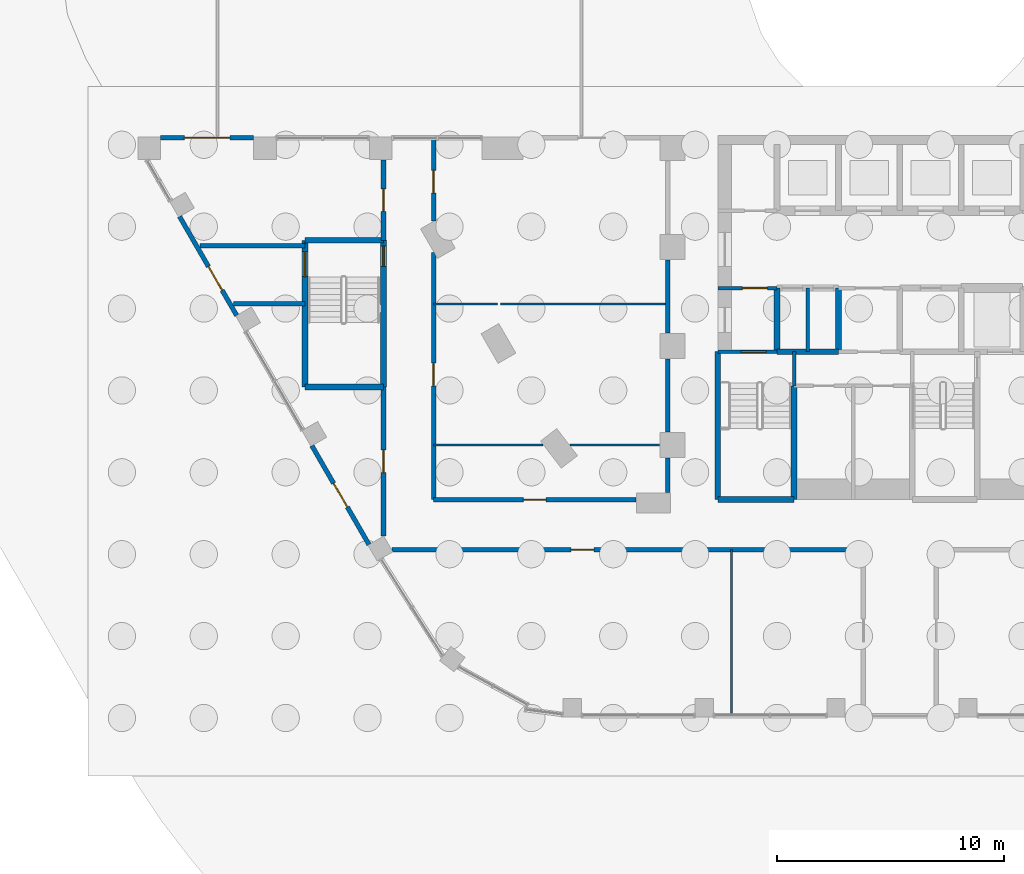
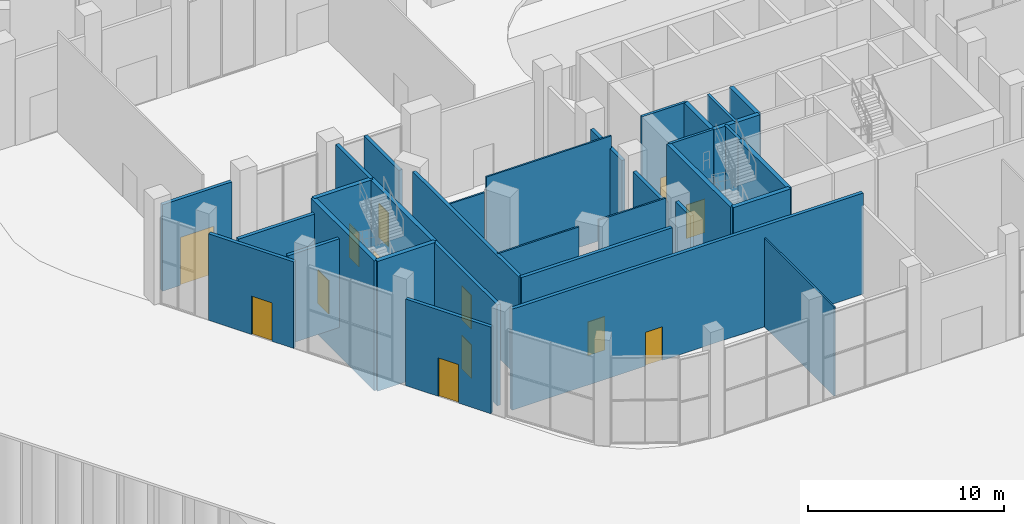
# One storey, part 24 of 44: 33 walls, 13 doors, 13 openings.
"""IFC4 building model written with IfcOpenShell, lengths in metres."""

import ifcopenshell
import ifcopenshell.guid

model = None  # the IFC model being written
_history = None  # IfcOwnerHistory: only IFC2X3 demands one
_inside = {}  # id of a spatial element -> (the spatial element, [elements in it])
_under = {}  # id of a project, library or spatial element -> (it, [spatial elements below it])
_declared = {}  # id of a project -> (the project, [libraries it declares])
_typed = {}  # id of a type object -> (the type object, [elements of that type])
_made_of = {}  # id of a material, layer set ... -> (it, [elements and type objects made of it])


def new_model(schema):
    """Start an empty IFC model of exactly this schema.

    Asked for "IFC4X3", IfcOpenShell would pick the latest addendum, in which some entities
    have other attributes; the version numbers below select the first issue.
    IFC2X3 requires an IfcOwnerHistory on every rooted entity: one is made here for all.
    """
    global model, _history
    if schema == "IFC4X3":
        model = ifcopenshell.file(schema_version=(4, 3, 0, 0))
    else:
        model = ifcopenshell.file(schema=schema)
    _inside.clear()
    _under.clear()
    _declared.clear()
    _typed.clear()
    _made_of.clear()
    _history = None
    if model.schema == "IFC2X3":
        org = make("IfcOrganization", Name="unknown")
        user = make(
            "IfcPersonAndOrganization",
            ThePerson=make("IfcPerson", FamilyName="unknown"),
            TheOrganization=org,
        )
        app = make(
            "IfcApplication",
            ApplicationDeveloper=org,
            Version="unknown",
            ApplicationFullName="unknown",
            ApplicationIdentifier="unknown",
        )
        _history = make(
            "IfcOwnerHistory",
            OwningUser=user,
            OwningApplication=app,
            ChangeAction="ADDED",
            CreationDate=0,
        )
    return model


def make(cls, **values):
    """One entity of the class cls with the attributes given. An attribute that is None is left unset."""
    return model.create_entity(
        cls, **{name: value for name, value in values.items() if value is not None}
    )


def rooted(cls, **values):
    """An entity with a GlobalId (a new one), such as an element, a storey or a relation."""
    return make(cls, GlobalId=ifcopenshell.guid.new(), OwnerHistory=_history, **values)


def si_unit(unit_type, name, prefix=None):
    """IfcSIUnit, for example si_unit("LENGTHUNIT", "METRE", prefix="MILLI")."""
    return make("IfcSIUnit", UnitType=unit_type, Prefix=prefix, Name=name)


def assignment(units):
    """IfcUnitAssignment: the units of a project."""
    return None if units is None else make("IfcUnitAssignment", Units=units)


def point(xyz):
    """IfcCartesianPoint."""
    return None if xyz is None else make("IfcCartesianPoint", Coordinates=xyz)


def direction(xyz):
    """IfcDirection."""
    return None if xyz is None else make("IfcDirection", DirectionRatios=xyz)


def frame(location, z_axis=None, x_axis=None):
    """IfcAxis2Placement3D, a coordinate frame: its origin and axes. An axis left out is left unset."""
    return make(
        "IfcAxis2Placement3D",
        Location=point(location),
        Axis=direction(z_axis),
        RefDirection=direction(x_axis),
    )


def frame_2d(location, x_axis=None):
    """IfcAxis2Placement2D, a coordinate frame in the plane: its origin and x axis."""
    return make(
        "IfcAxis2Placement2D", Location=point(location), RefDirection=direction(x_axis)
    )


def origin():
    """The frame at (0, 0, 0) with its axes left unset."""
    return frame((0.0, 0.0, 0.0))


def place(relative_to, where):
    """IfcLocalPlacement: puts the frame where relative to a parent placement (None: the world)."""
    return make(
        "IfcLocalPlacement", PlacementRelTo=relative_to, RelativePlacement=where
    )


def context(
    kind, dimensions, precision=None, world=None, true_north=None, identifier=None
):
    """IfcGeometricRepresentationContext, for example the 3D "Model" context."""
    return make(
        "IfcGeometricRepresentationContext",
        ContextIdentifier=identifier,
        ContextType=kind,
        CoordinateSpaceDimension=dimensions,
        Precision=precision,
        WorldCoordinateSystem=world,
        TrueNorth=true_north,
    )


def subcontext(parent, identifier, kind, view, scale=None):
    """IfcGeometricRepresentationSubContext, for example "Body" below "Model"."""
    return make(
        "IfcGeometricRepresentationSubContext",
        ContextIdentifier=identifier,
        ContextType=kind,
        ParentContext=parent,
        TargetScale=scale,
        TargetView=view,
    )


def project(units=None, contexts=None):
    """IfcProject with its units and contexts."""
    return rooted(
        "IfcProject",
        Name="project",
        RepresentationContexts=contexts,
        UnitsInContext=assignment(units),
    )


def spatial(cls, under=None, at=None, **own):
    """A site, building, storey or space (cls), placed at a placement, below another one or the project."""
    s = rooted(cls, ObjectPlacement=at, **own)
    if under is not None:
        _under.setdefault(under.id(), (under, []))[1].append(s)
    return s


def profile(cls, at=None, kind="AREA", **sizes):
    """A parametric profile (cls). Its sizes go by their IFC names, for example OverallWidth=200.0."""
    return make(cls, ProfileType=kind, Position=at, **sizes)


def rectangle(**sizes):
    """IfcRectangleProfileDef."""
    return profile("IfcRectangleProfileDef", **sizes)


def extrude(swept, where, along, depth):
    """IfcExtrudedAreaSolid: the profile swept, set in the frame where, extruded along a direction by depth."""
    return make(
        "IfcExtrudedAreaSolid",
        SweptArea=swept,
        Position=where,
        ExtrudedDirection=direction(along),
        Depth=depth,
    )


def shape(context_of_items, identifier, shape_type, items):
    """IfcShapeRepresentation: the items that make up one representation, for example the "Body"."""
    return make(
        "IfcShapeRepresentation",
        ContextOfItems=context_of_items,
        RepresentationIdentifier=identifier,
        RepresentationType=shape_type,
        Items=items,
    )


def material(Name=None, Category=None):
    """IfcMaterial."""
    return make("IfcMaterial", Name=Name, Category=Category)


def layer(
    of_material, thickness, ventilated=None, Name=None, Category=None, Priority=None
):
    """IfcMaterialLayer: one layer of a wall or slab, of a material (None: an air gap)."""
    return make(
        "IfcMaterialLayer",
        Material=of_material,
        LayerThickness=thickness,
        IsVentilated=ventilated,
        Name=Name,
        Category=Category,
        Priority=Priority,
    )


def layer_set(layers, Name=None):
    """IfcMaterialLayerSet."""
    return make("IfcMaterialLayerSet", MaterialLayers=layers, LayerSetName=Name)


def made_of(thing, what):
    """Note that an element or type object is made of a material, layer set ...; save() writes the relation."""
    if what is not None:
        _made_of.setdefault(what.id(), (what, []))[1].append(thing)
    return thing


def type_object(cls, material=None, **own):
    """A type object (cls), such as IfcWallType, which elements share."""
    return made_of(rooted(cls, **own), material)


def element(
    cls,
    number,
    at=None,
    inside=None,
    cuts=None,
    type_object=None,
    material=None,
    context=None,
    identifier="Body",
    shape_type=None,
    held_by="IfcProductDefinitionShape",
    body=None,
    shapes=None,
    **own,
):
    """One element of the class cls, such as IfcWall. Its Tag is "e" and its number.

    at: its placement. inside: the storey or other place that contains it. cuts: it is an
    opening in that element (IfcRelVoidsElement). A single representation is given by context,
    identifier, shape_type and body (its items); several are given by shapes. held_by: the class
    of the entity that holds the representations. save() writes the other relations.
    """
    e = rooted(cls, Tag="e%d" % number, ObjectPlacement=at, **own)
    if body is not None:
        shapes = [shape(context, identifier, shape_type, body)]
    if shapes is not None:
        e.Representation = make(held_by, Representations=shapes)
    if inside is not None:
        _inside.setdefault(inside.id(), (inside, []))[1].append(e)
    if cuts is not None:
        rooted(
            "IfcRelVoidsElement", RelatingBuildingElement=cuts, RelatedOpeningElement=e
        )
    if type_object is not None:
        _typed.setdefault(type_object.id(), (type_object, []))[1].append(e)
    return made_of(e, material)


def fill(opening, filler):
    """IfcRelFillsElement: the door or window that sits in an opening."""
    return rooted(
        "IfcRelFillsElement",
        RelatingOpeningElement=opening,
        RelatedBuildingElement=filler,
    )


def aggregate(whole, parts):
    """IfcRelAggregates: a whole, such as a stair, and the parts it consists of."""
    return rooted("IfcRelAggregates", RelatingObject=whole, RelatedObjects=parts)


def save(model, path):
    """Write the relations noted so far, then the file.

    IfcRelAggregates (storeys below a building ...), IfcRelContainedInSpatialStructure (elements
    in a storey), IfcRelDefinesByType, IfcRelAssociatesMaterial and IfcRelDeclares: one each for
    every whole, place, type object, material and project.
    """
    for whole, parts in _under.values():
        aggregate(whole, parts)
    for where, things in _inside.values():
        rooted(
            "IfcRelContainedInSpatialStructure",
            RelatedElements=things,
            RelatingStructure=where,
        )
    for kind, things in _typed.values():
        rooted("IfcRelDefinesByType", RelatedObjects=things, RelatingType=kind)
    for what, things in _made_of.values():
        rooted("IfcRelAssociatesMaterial", RelatedObjects=things, RelatingMaterial=what)
    for by, libraries in _declared.values():
        rooted("IfcRelDeclares", RelatingContext=by, RelatedDefinitions=libraries)
    model.write(path)


model = new_model("IFC4")

# Units and contexts
model_context = context("Model", 3, precision=1e-05, world=origin(), true_north=direction((0.0, 1.0)))
body_context = subcontext(model_context, "Body", "Model", "MODEL_VIEW")
ifc_project = project(units=[si_unit("LENGTHUNIT", "METRE"), si_unit("AREAUNIT", "SQUARE_METRE"), si_unit("VOLUMEUNIT", "CUBIC_METRE"), si_unit("PLANEANGLEUNIT", "RADIAN"), si_unit("MASSUNIT", "GRAM", prefix="KILO")], contexts=[model_context])

# Site, building, storey
site_placement = place(None, origin())
site = spatial("IfcSite", under=ifc_project, at=site_placement, CompositionType="ELEMENT")
building_placement = place(site_placement, origin())
building = spatial("IfcBuilding", under=site, at=building_placement, Name="Nakaniwa Court", CompositionType="ELEMENT")
storey_placement = place(building_placement, origin())
storey = spatial("IfcBuildingStorey", under=building, at=storey_placement, Name="L00", CompositionType="ELEMENT", Elevation=0.0)

# Wall, opening, door
ifc_material_1 = material(Name="Acoustic double stud partition")
ifc_layer_1 = layer(ifc_material_1, 0.199951171875)
ifc_layer_set_1 = layer_set([ifc_layer_1], Name="Acoustic double stud partition")
wall_type_1 = type_object("IfcWallType", Name="Acoustic double stud partition 200", PredefinedType="PARTITIONING", material=ifc_layer_set_1)
wall_1_placement = place(storey_placement, frame((57.300048828125, 55.0087890625, 0.0), z_axis=(0.0, 0.0, 1.0), x_axis=(0.0, 1.0, 0.0)))
wall_1 = element("IfcWall", 1, at=wall_1_placement, inside=storey, type_object=wall_type_1, Name="Partition PW-091", PredefinedType="PARTITIONING", context=body_context, shape_type="SweptSolid", body=[
    extrude(rectangle(XDim=6.544189453125, YDim=0.199951171875, at=frame_2d((3.27197265625, 0.0))), origin(), (0.0, 0.0, 1.0), 6.300048828125),
])
opening_1_placement = place(wall_1_placement, frame((2.77197265625, 0.0, 0.0)))
opening_1 = element("IfcOpeningElement", 2, at=opening_1_placement, cuts=wall_1, Name="Opening D-02-14", PredefinedType="OPENING", context=body_context, shape_type="SweptSolid", body=[
    extrude(rectangle(XDim=1.0, YDim=2.10009765625, at=frame_2d((0.5, 1.050048828125))), frame((0.0, 0.10986328125, 0.0), z_axis=(0.0, -1.0, 0.0), x_axis=(1.0, 0.0, 0.0)), (0.0, 0.0, 1.0), 0.219970703125),
])
ifc_material_2 = material(Name="Solid core timber door set, black veneer", Category="wood")
door_type_1 = type_object("IfcDoorType", Name="Internal door 1000", OperationType="NOTDEFINED", PredefinedType="DOOR", material=ifc_material_2)
door_1_placement = place(opening_1_placement, origin())
door_1 = element("IfcDoor", 3, at=door_1_placement, inside=storey, type_object=door_type_1, Name="Door D-02-14 L00-050", OperationType="SINGLE_SWING_LEFT", OverallHeight=2.10009765625, OverallWidth=1.0, PredefinedType="DOOR", context=body_context, shape_type="SweptSolid", body=[
    extrude(rectangle(XDim=1.0, YDim=2.10009765625, at=frame_2d((0.5, 1.050048828125))), frame((0.0, 0.02490234375, 0.0), z_axis=(0.0, -1.0, 0.0), x_axis=(1.0, 0.0, 0.0)), (0.0, 0.0, 1.0), 0.050048828125),
])
fill(opening_1, door_1)

wall_2_placement = place(storey_placement, frame((57.300048828125, 67.9970703125, 0.0), z_axis=(0.0, 0.0, 1.0), x_axis=(0.0, 1.0, 0.0)))
wall_2 = element("IfcWall", 4, at=wall_2_placement, inside=storey, type_object=wall_type_1, Name="Partition PW-092", PredefinedType="PARTITIONING", context=body_context, shape_type="SweptSolid", body=[
    extrude(rectangle(XDim=3.535888671875, YDim=0.199951171875, at=frame_2d((1.76806640625, 0.0))), origin(), (0.0, 0.0, 1.0), 6.300048828125),
])
opening_2_placement = place(wall_2_placement, frame((1.26806640625, 0.0, 0.0)))
opening_2 = element("IfcOpeningElement", 5, at=opening_2_placement, cuts=wall_2, Name="Opening D-02-13", PredefinedType="OPENING", context=body_context, shape_type="SweptSolid", body=[
    extrude(rectangle(XDim=1.0, YDim=2.10009765625, at=frame_2d((0.5, 1.050048828125))), frame((0.0, 0.10986328125, 0.0), z_axis=(0.0, -1.0, 0.0), x_axis=(1.0, 0.0, 0.0)), (0.0, 0.0, 1.0), 0.219970703125),
])
door_2_placement = place(opening_2_placement, origin())
door_2 = element("IfcDoor", 6, at=door_2_placement, inside=storey, type_object=door_type_1, Name="Door D-02-13 L00-049", OperationType="SINGLE_SWING_RIGHT", OverallHeight=2.10009765625, OverallWidth=1.0, PredefinedType="DOOR", context=body_context, shape_type="SweptSolid", body=[
    extrude(rectangle(XDim=1.0, YDim=2.10009765625, at=frame_2d((0.5, 1.050048828125))), frame((0.0, 0.02490234375, 0.0), z_axis=(0.0, -1.0, 0.0), x_axis=(1.0, 0.0, 0.0)), (0.0, 0.0, 1.0), 0.050048828125),
])
fill(opening_2, door_2)

wall_3_placement = place(storey_placement, frame((59.5, 67.47021484375, 0.0), z_axis=(0.0, 0.0, 1.0), x_axis=(0.0, -1.0, 0.0)))
wall_3 = element("IfcWall", 7, at=wall_3_placement, inside=storey, type_object=wall_type_1, Name="Partition PW-095", PredefinedType="PARTITIONING", context=body_context, shape_type="SweptSolid", body=[
    extrude(rectangle(XDim=10.873291015625, YDim=0.199951171875, at=frame_2d((5.4365234375, 0.0))), origin(), (0.0, 0.0, 1.0), 6.300048828125),
])
opening_3_placement = place(wall_3_placement, frame((4.8701171875, 0.0, 0.0)))
opening_3 = element("IfcOpeningElement", 8, at=opening_3_placement, cuts=wall_3, Name="Opening D-02-21", PredefinedType="OPENING", context=body_context, shape_type="SweptSolid", body=[
    extrude(rectangle(XDim=1.0, YDim=2.10009765625, at=frame_2d((0.5, 1.050048828125))), frame((0.0, 0.10986328125, 0.0), z_axis=(0.0, -1.0, 0.0), x_axis=(1.0, 0.0, 0.0)), (0.0, 0.0, 1.0), 0.219970703125),
])
door_3_placement = place(opening_3_placement, origin())
door_3 = element("IfcDoor", 9, at=door_3_placement, inside=storey, type_object=door_type_1, Name="Door D-02-21 L00-057", OperationType="SINGLE_SWING_RIGHT", OverallHeight=2.10009765625, OverallWidth=1.0, PredefinedType="DOOR", context=body_context, shape_type="SweptSolid", body=[
    extrude(rectangle(XDim=1.0, YDim=2.10009765625, at=frame_2d((0.5, 1.050048828125))), frame((0.0, 0.02490234375, 0.0), z_axis=(0.0, -1.0, 0.0), x_axis=(1.0, 0.0, 0.0)), (0.0, 0.0, 1.0), 0.050048828125),
])
fill(opening_3, door_3)

wall_4_placement = place(storey_placement, frame((59.5, 72.419921875, 0.0), z_axis=(0.0, 0.0, 1.0), x_axis=(0.0, -1.0, 0.0)))
wall_4 = element("IfcWall", 10, at=wall_4_placement, inside=storey, type_object=wall_type_1, Name="Partition PW-096", PredefinedType="PARTITIONING", context=body_context, shape_type="SweptSolid", body=[
    extrude(rectangle(XDim=3.569091796875, YDim=0.199951171875, at=frame_2d((1.78466796875, 0.0))), origin(), (0.0, 0.0, 1.0), 5.530029296875),
])
opening_4_placement = place(wall_4_placement, frame((1.343017578125, 0.0, 0.0)))
opening_4 = element("IfcOpeningElement", 11, at=opening_4_placement, cuts=wall_4, Name="Opening D-02-20", PredefinedType="OPENING", context=body_context, shape_type="SweptSolid", body=[
    extrude(rectangle(XDim=1.0, YDim=2.10009765625, at=frame_2d((0.5, 1.050048828125))), frame((0.0, 0.10986328125, 0.0), z_axis=(0.0, -1.0, 0.0), x_axis=(1.0, 0.0, 0.0)), (0.0, 0.0, 1.0), 0.219970703125),
])
door_4_placement = place(opening_4_placement, origin())
door_4 = element("IfcDoor", 12, at=door_4_placement, inside=storey, type_object=door_type_1, Name="Door D-02-20 L00-056", OperationType="SINGLE_SWING_LEFT", OverallHeight=2.10009765625, OverallWidth=1.0, PredefinedType="DOOR", context=body_context, shape_type="SweptSolid", body=[
    extrude(rectangle(XDim=1.0, YDim=2.10009765625, at=frame_2d((0.5, 1.050048828125))), frame((0.0, 0.02490234375, 0.0), z_axis=(0.0, -1.0, 0.0), x_axis=(1.0, 0.0, 0.0)), (0.0, 0.0, 1.0), 0.050048828125),
])
fill(opening_4, door_4)

# Walls
wall_5_placement = place(storey_placement, frame((69.800048828125, 56.9169921875, 0.0), z_axis=(0.0, 0.0, 1.0), x_axis=(0.0, 1.0, 0.0)))
element("IfcWall", 13, at=wall_5_placement, inside=storey, type_object=wall_type_1, Name="Partition PW-115", PredefinedType="PARTITIONING", context=body_context, shape_type="SweptSolid", body=[
    extrude(rectangle(XDim=1.51611328125, YDim=0.199951171875, at=frame_2d((0.758056640625, 0.0))), origin(), (0.0, 0.0, 1.0), 6.300048828125),
])
for number, where, z_axis, x_axis, name in (
    (14, (69.800048828125, 59.56689453125, 0.0), (0.0, 0.0, 1.0), (0.0, 1.0, 0.0), "Partition PW-116"),
    (15, (69.800048828125, 63.9169921875, 0.0), (0.0, 0.0, 1.0), (0.0, 1.0, 0.0), "Partition PW-117"),
):
    element("IfcWall", number, at=place(storey_placement, frame(where, z_axis=z_axis, x_axis=x_axis)), inside=storey, type_object=wall_type_1, Name=name, PredefinedType="PARTITIONING", context=body_context, shape_type="SweptSolid", body=[
        extrude(rectangle(XDim=3.216064453125, YDim=0.199951171875, at=frame_2d((1.60791015625, 0.0))), origin(), (0.0, 0.0, 1.0), 5.530029296875),
    ])

# Wall, opening, door
wall_6_placement = place(storey_placement, frame((78.39990234375, 54.39990234375, 0.0), z_axis=(0.0, 0.0, 1.0), x_axis=(-1.0, 0.0, 0.0)))
wall_6 = element("IfcWall", 16, at=wall_6_placement, inside=storey, type_object=wall_type_1, Name="Partition PW-142", PredefinedType="PARTITIONING", context=body_context, shape_type="SweptSolid", body=[
    extrude(rectangle(XDim=20.723388671875, YDim=0.199951171875, at=frame_2d((10.36181640625, 0.0))), origin(), (0.0, 0.0, 1.0), 6.300048828125),
])
opening_5_placement = place(wall_6_placement, frame((11.85009765625, 0.0, 0.0)))
opening_5 = element("IfcOpeningElement", 17, at=opening_5_placement, cuts=wall_6, Name="Opening D-02-23", PredefinedType="OPENING", context=body_context, shape_type="SweptSolid", body=[
    extrude(rectangle(XDim=1.0, YDim=2.10009765625, at=frame_2d((0.5, 1.050048828125))), frame((0.0, 0.10986328125, 0.0), z_axis=(0.0, -1.0, 0.0), x_axis=(1.0, 0.0, 0.0)), (0.0, 0.0, 1.0), 0.219970703125),
])
door_5_placement = place(opening_5_placement, origin())
door_5 = element("IfcDoor", 18, at=door_5_placement, inside=storey, type_object=door_type_1, Name="Door D-02-23 L00-059", OperationType="SINGLE_SWING_RIGHT", OverallHeight=2.10009765625, OverallWidth=1.0, PredefinedType="DOOR", context=body_context, shape_type="SweptSolid", body=[
    extrude(rectangle(XDim=1.0, YDim=2.10009765625, at=frame_2d((0.5, 1.050048828125))), frame((0.0, 0.02490234375, 0.0), z_axis=(0.0, -1.0, 0.0), x_axis=(1.0, 0.0, 0.0)), (0.0, 0.0, 1.0), 0.050048828125),
])
fill(opening_5, door_5)

wall_7_placement = place(storey_placement, frame((59.501953125, 56.60009765625, 0.0), z_axis=(0.0, 0.0, 1.0), x_axis=(1.0, 0.0, 0.0)))
wall_7 = element("IfcWall", 19, at=wall_7_placement, inside=storey, type_object=wall_type_1, Name="Partition PW-144", PredefinedType="PARTITIONING", context=body_context, shape_type="SweptSolid", body=[
    extrude(rectangle(XDim=8.90625, YDim=0.199951171875, at=frame_2d((4.453125, 0.0))), origin(), (0.0, 0.0, 1.0), 6.300048828125),
])
opening_6_placement = place(wall_7_placement, frame((3.950927734375, 0.0, 0.0)))
opening_6 = element("IfcOpeningElement", 20, at=opening_6_placement, cuts=wall_7, Name="Opening D-02-22", PredefinedType="OPENING", context=body_context, shape_type="SweptSolid", body=[
    extrude(rectangle(XDim=1.0, YDim=2.10009765625, at=frame_2d((0.5, 1.050048828125))), frame((0.0, 0.10986328125, 0.0), z_axis=(0.0, -1.0, 0.0), x_axis=(1.0, 0.0, 0.0)), (0.0, 0.0, 1.0), 0.219970703125),
])
door_6_placement = place(opening_6_placement, origin())
door_6 = element("IfcDoor", 21, at=door_6_placement, inside=storey, type_object=door_type_1, Name="Door D-02-22 L00-058", OperationType="SINGLE_SWING_LEFT", OverallHeight=2.10009765625, OverallWidth=1.0, PredefinedType="DOOR", context=body_context, shape_type="SweptSolid", body=[
    extrude(rectangle(XDim=1.0, YDim=2.10009765625, at=frame_2d((0.5, 1.050048828125))), frame((0.0, 0.02490234375, 0.0), z_axis=(0.0, -1.0, 0.0), x_axis=(1.0, 0.0, 0.0)), (0.0, 0.0, 1.0), 0.050048828125),
])
fill(opening_6, door_6)

# Walls
wall_8_placement = place(storey_placement, frame((49.228515625, 67.75, 0.0), z_axis=(0.0, 0.0, 1.0), x_axis=(1.0, 0.0, 0.0)))
element("IfcWall", 22, at=wall_8_placement, inside=storey, type_object=wall_type_1, Name="Partition PW-146", PredefinedType="PARTITIONING", context=body_context, shape_type="SweptSolid", body=[
    extrude(rectangle(XDim=4.62158203125, YDim=0.199951171875, at=frame_2d((2.310791015625, 0.0))), origin(), (0.0, 0.0, 1.0), 5.530029296875),
])
wall_9_placement = place(storey_placement, frame((50.70068359375, 65.199951171875, 0.0), z_axis=(0.0, 0.0, 1.0), x_axis=(1.0, 0.0, 0.0)))
element("IfcWall", 23, at=wall_9_placement, inside=storey, type_object=wall_type_1, Name="Partition PW-148", PredefinedType="PARTITIONING", context=body_context, shape_type="SweptSolid", body=[
    extrude(rectangle(XDim=3.1494140625, YDim=0.199951171875, at=frame_2d((1.57470703125, 0.0))), origin(), (0.0, 0.0, 1.0), 5.530029296875),
])

# Wall, opening, door
ifc_material_3 = material(Name="Charcoal ceramic cladding")
ifc_layer_2 = layer(ifc_material_3, 0.02, Name="Ceramic cladding")
ifc_material_4 = material(Name="Ventilated air cavity")
ifc_layer_3 = layer(ifc_material_4, 0.04, ventilated=True, Name="Ventilated cavity")
ifc_material_5 = material(Name="Mineral wool insulation")
ifc_layer_4 = layer(ifc_material_5, 0.05, Name="Insulation")
ifc_material_6 = material(Name="Cement bonded sheathing board")
ifc_layer_5 = layer(ifc_material_6, 0.012, Name="Sheathing")
ifc_material_7 = material(Name="Cold-formed galvanised stud frame with mineral wool infill")
ifc_layer_6 = layer(ifc_material_7, 0.05, Name="Stud frame")
ifc_material_8 = material(Name="Fire-rated gypsum plasterboard lining")
ifc_layer_7 = layer(ifc_material_8, 0.028, Name="Lining")
ifc_layer_set_2 = layer_set([ifc_layer_2, ifc_layer_3, ifc_layer_4, ifc_layer_5, ifc_layer_6, ifc_layer_7], Name="Charcoal ceramic faced external wall system")
wall_type_2 = type_object("IfcWallType", Name="Black ceramic faced external wall 200", PredefinedType="SOLIDWALL", material=ifc_layer_set_2)
wall_10_placement = place(storey_placement, frame((51.594970703125, 72.5, 0.0), z_axis=(0.0, 0.0, 1.0), x_axis=(-1.0, 0.0, 0.0)))
wall_10 = element("IfcWall", 24, at=wall_10_placement, inside=storey, type_object=wall_type_2, Name="L00 entrance wall 11", PredefinedType="SOLIDWALL", context=body_context, shape_type="SweptSolid", body=[
    extrude(rectangle(XDim=4.094970703125, YDim=0.199951171875, at=frame_2d((2.04736328125, 0.0))), origin(), (0.0, 0.0, 1.0), 5.39990234375),
])
opening_7_placement = place(wall_10_placement, frame((1.047607421875, 0.0, 0.0)))
opening_7 = element("IfcOpeningElement", 25, at=opening_7_placement, cuts=wall_10, Name="Opening XD4.05", PredefinedType="OPENING", context=body_context, shape_type="SweptSolid", body=[
    extrude(rectangle(XDim=2.0, YDim=3.0, at=frame_2d((1.0, 1.5))), frame((0.0, 0.10986328125, 0.0), z_axis=(0.0, -1.0, 0.0), x_axis=(1.0, 0.0, 0.0)), (0.0, 0.0, 1.0), 0.219970703125),
])
ifc_material_9 = material(Name="Black powder-coated aluminium frame with dark laminated glass", Category="aluminium")
door_type_2 = type_object("IfcDoorType", Name="Loading roller shutter 2000x3000", OperationType="ROLLINGUP", PredefinedType="GATE", material=ifc_material_9)
door_7_placement = place(opening_7_placement, origin())
door_7 = element("IfcDoor", 26, at=door_7_placement, inside=storey, type_object=door_type_2, Name="L00 loading roller shutter 11-0", OperationType="ROLLINGUP", OverallHeight=3.0, OverallWidth=2.0, PredefinedType="GATE", context=body_context, shape_type="SweptSolid", body=[
    extrude(rectangle(XDim=2.0, YDim=3.0, at=frame_2d((1.0, 1.5))), frame((0.0, 0.02490234375, 0.0), z_axis=(0.0, -1.0, 0.0), x_axis=(1.0, 0.0, 0.0)), (0.0, 0.0, 1.0), 0.050048828125),
])
fill(opening_7, door_7)

wall_11_placement = place(storey_placement, frame((48.335693359375, 69.04443359375, 0.0), z_axis=(0.0, 0.0, 1.0), x_axis=(0.499953773667, -0.866052090925, 0.0)))
wall_11 = element("IfcWall", 27, at=wall_11_placement, inside=storey, type_object=wall_type_2, Name="L00 entrance wall 13", PredefinedType="SOLIDWALL", context=body_context, shape_type="SweptSolid", body=[
    extrude(rectangle(XDim=5.02490234375, YDim=0.199951171875, at=frame_2d((2.512451171875, 0.0))), origin(), (0.0, 0.0, 1.0), 5.39990234375),
])
opening_8_placement = place(wall_11_placement, frame((2.5400390625, 0.0, 0.0)))
opening_8 = element("IfcOpeningElement", 28, at=opening_8_placement, cuts=wall_11, Name="Opening XD1.06", PredefinedType="OPENING", context=body_context, shape_type="SweptSolid", body=[
    extrude(rectangle(XDim=1.199951171875, YDim=2.39990234375, at=frame_2d((0.60009765625, 1.199951171875))), frame((0.0, 0.10986328125, 0.0), z_axis=(0.0, -1.0, 0.0), x_axis=(1.0, 0.0, 0.0)), (0.0, 0.0, 1.0), 0.219970703125),
])
door_type_3 = type_object("IfcDoorType", Name="Stair exit door 1200x2400", OperationType="SINGLE_SWING_LEFT", PredefinedType="DOOR", material=ifc_material_9)
door_8_placement = place(opening_8_placement, frame((1.199951171875, 0.0, 0.0), z_axis=(0.0, 0.0, 1.0), x_axis=(-1.0, 0.0, 0.0)))
door_8 = element("IfcDoor", 29, at=door_8_placement, inside=storey, type_object=door_type_3, Name="L00 stair exit door 13-0", OperationType="SINGLE_SWING_LEFT", OverallHeight=2.39990234375, OverallWidth=1.199951171875, PredefinedType="DOOR", context=body_context, shape_type="SweptSolid", body=[
    extrude(rectangle(XDim=1.199951171875, YDim=2.39990234375, at=frame_2d((0.60009765625, 1.199951171875))), frame((0.0, 0.02490234375, 0.0), z_axis=(0.0, -1.0, 0.0), x_axis=(1.0, 0.0, 0.0)), (0.0, 0.0, 1.0), 0.050048828125),
])
fill(opening_8, door_8)

wall_12_placement = place(storey_placement, frame((54.15234375, 58.969482421875, 0.0), z_axis=(0.0, 0.0, 1.0), x_axis=(0.500011252833, -0.866018906861, 0.0)))
wall_12 = element("IfcWall", 30, at=wall_12_placement, inside=storey, type_object=wall_type_2, Name="L00 entrance wall 15", PredefinedType="SOLIDWALL", context=body_context, shape_type="SweptSolid", body=[
    extrude(rectangle(XDim=5.02490234375, YDim=0.199951171875, at=frame_2d((2.512451171875, 0.0))), origin(), (0.0, 0.0, 1.0), 5.39990234375),
])
opening_9_placement = place(wall_12_placement, frame((1.912353515625, 0.0, 0.0)))
opening_9 = element("IfcOpeningElement", 31, at=opening_9_placement, cuts=wall_12, Name="Opening XD3.07", PredefinedType="OPENING", context=body_context, shape_type="SweptSolid", body=[
    extrude(rectangle(XDim=1.199951171875, YDim=2.39990234375, at=frame_2d((0.60009765625, 1.199951171875))), frame((0.0, 0.10986328125, 0.0), z_axis=(0.0, -1.0, 0.0), x_axis=(1.0, 0.0, 0.0)), (0.0, 0.0, 1.0), 0.219970703125),
])
door_type_4 = type_object("IfcDoorType", Name="Service door 1200x2400", OperationType="SINGLE_SWING_LEFT", PredefinedType="DOOR", material=ifc_material_9)
door_9_placement = place(opening_9_placement, frame((1.199951171875, 0.0, 0.0), z_axis=(0.0, 0.0, 1.0), x_axis=(-1.0, 0.0, 0.0)))
door_9 = element("IfcDoor", 32, at=door_9_placement, inside=storey, type_object=door_type_4, Name="L00 service door 15-0", OperationType="SINGLE_SWING_LEFT", OverallHeight=2.39990234375, OverallWidth=1.199951171875, PredefinedType="DOOR", context=body_context, shape_type="SweptSolid", body=[
    extrude(rectangle(XDim=1.199951171875, YDim=2.39990234375, at=frame_2d((0.60009765625, 1.199951171875))), frame((0.0, 0.02490234375, 0.0), z_axis=(0.0, -1.0, 0.0), x_axis=(1.0, 0.0, 0.0)), (0.0, 0.0, 1.0), 0.050048828125),
])
fill(opening_9, door_9)

ifc_material_10 = material(Name="Blockwork partition", Category="masonry")
ifc_layer_8 = layer(ifc_material_10, 0.14990234375)
ifc_layer_set_3 = layer_set([ifc_layer_8], Name="Blockwork partition")
wall_type_3 = type_object("IfcWallType", Name="Blockwork partition 150", PredefinedType="PARTITIONING", material=ifc_layer_set_3)
wall_13_placement = place(storey_placement, frame((74.60302734375, 65.89990234375, 0.0), z_axis=(0.0, 0.0, 1.0), x_axis=(-1.0, 0.0, 0.0)))
wall_13 = element("IfcWall", 33, at=wall_13_placement, inside=storey, type_object=wall_type_3, Name="Partition PW-054", PredefinedType="PARTITIONING", context=body_context, shape_type="SweptSolid", body=[
    extrude(rectangle(XDim=2.60302734375, YDim=0.14990234375, at=frame_2d((1.301513671875, 0.0))), origin(), (0.0, 0.0, 1.0), 6.300048828125),
])
opening_10_placement = place(wall_13_placement, frame((0.427978515625, 0.0, 0.0)))
opening_10 = element("IfcOpeningElement", 34, at=opening_10_placement, cuts=wall_13, Name="Opening D-08-02", PredefinedType="OPENING", context=body_context, shape_type="SweptSolid", body=[
    extrude(rectangle(XDim=1.10009765625, YDim=2.10009765625, at=frame_2d((0.550048828125, 1.050048828125))), frame((0.0, 0.0849609375, 0.0), z_axis=(0.0, -1.0, 0.0), x_axis=(1.0, 0.0, 0.0)), (0.0, 0.0, 1.0), 0.169921875),
])
ifc_material_11 = material(Name="Fire rated steel door set", Category="steel")
door_type_5 = type_object("IfcDoorType", Name="Stair lobby door 1100", OperationType="NOTDEFINED", PredefinedType="DOOR", material=ifc_material_11)
door_10_placement = place(opening_10_placement, origin())
door_10 = element("IfcDoor", 35, at=door_10_placement, inside=storey, type_object=door_type_5, Name="Door D-08-02 L00-016", OperationType="SINGLE_SWING_LEFT", OverallHeight=2.10009765625, OverallWidth=1.10009765625, PredefinedType="DOOR", context=body_context, shape_type="SweptSolid", body=[
    extrude(rectangle(XDim=1.10009765625, YDim=2.10009765625, at=frame_2d((0.550048828125, 1.050048828125))), frame((0.0, 0.02490234375, 0.0), z_axis=(0.0, -1.0, 0.0), x_axis=(1.0, 0.0, 0.0)), (0.0, 0.0, 1.0), 0.050048828125),
])
fill(opening_10, door_10)

# Wall
wall_14_placement = place(storey_placement, frame((75.949951171875, 63.10009765625, 0.0), z_axis=(0.0, 0.0, 1.0), x_axis=(0.0, 1.0, 0.0)))
element("IfcWall", 36, at=wall_14_placement, inside=storey, type_object=wall_type_3, Name="Partition PW-061", PredefinedType="PARTITIONING", context=body_context, shape_type="SweptSolid", body=[
    extrude(rectangle(XDim=2.7998046875, YDim=0.14990234375, at=frame_2d((1.39990234375, 0.0))), origin(), (0.0, 0.0, 1.0), 6.300048828125),
])

# Wall, opening, door
ifc_material_12 = material(Name="Concrete C100/115", Category="concrete")
ifc_layer_9 = layer(ifc_material_12, 0.14990234375)
ifc_layer_set_4 = layer_set([ifc_layer_9], Name="Concrete C100/115")
wall_type_4 = type_object("IfcWallType", Name="Concrete core wall 150 C100", PredefinedType="SHEAR", material=ifc_layer_set_4)
wall_15_placement = place(storey_placement, frame((72.0, 63.10009765625, -1.800048828125), z_axis=(0.0, 0.0, 1.0), x_axis=(1.0, 0.0, 0.0)))
wall_15 = element("IfcWall", 37, at=wall_15_placement, inside=storey, type_object=wall_type_4, Name="Core wall SW-60", PredefinedType="SHEAR", context=body_context, shape_type="SweptSolid", body=[
    extrude(rectangle(XDim=2.60009765625, YDim=0.14990234375, at=frame_2d((1.300048828125, 0.0))), origin(), (0.0, 0.0, 1.0), 8.10009765625),
])
opening_11_placement = place(wall_15_placement, frame((1.02001953125, 0.0, 1.800048828125)))
opening_11 = element("IfcOpeningElement", 38, at=opening_11_placement, cuts=wall_15, Name="Opening D-09-02", PredefinedType="OPENING", context=body_context, shape_type="SweptSolid", body=[
    extrude(rectangle(XDim=1.10009765625, YDim=2.10009765625, at=frame_2d((0.550048828125, 1.050048828125))), frame((0.0, 0.0849609375, 0.0), z_axis=(0.0, -1.0, 0.0), x_axis=(1.0, 0.0, 0.0)), (0.0, 0.0, 1.0), 0.169921875),
])
door_type_6 = type_object("IfcDoorType", Name="Stair door 1100", OperationType="NOTDEFINED", PredefinedType="DOOR", material=ifc_material_11)
door_11_placement = place(opening_11_placement, origin())
door_11 = element("IfcDoor", 39, at=door_11_placement, inside=storey, type_object=door_type_6, Name="Door D-09-02 L00-025", OperationType="SINGLE_SWING_LEFT", OverallHeight=2.10009765625, OverallWidth=1.10009765625, PredefinedType="DOOR", context=body_context, shape_type="SweptSolid", body=[
    extrude(rectangle(XDim=1.10009765625, YDim=2.10009765625, at=frame_2d((0.550048828125, 1.050048828125))), frame((0.0, 0.02490234375, 0.0), z_axis=(0.0, -1.0, 0.0), x_axis=(1.0, 0.0, 0.0)), (0.0, 0.0, 1.0), 0.050048828125),
])
fill(opening_11, door_11)

# Walls
wall_16_placement = place(storey_placement, frame((75.35009765625, 61.596923828125, -1.800048828125), z_axis=(0.0, 0.0, 1.0), x_axis=(0.0, 1.0, 0.0)))
element("IfcWall", 40, at=wall_16_placement, inside=storey, type_object=wall_type_4, Name="Core wall SW-65", PredefinedType="SHEAR", context=body_context, shape_type="SweptSolid", body=[
    extrude(rectangle(XDim=1.503173828125, YDim=0.14990234375, at=frame_2d((0.75146484375, 0.0))), origin(), (0.0, 0.0, 1.0), 8.10009765625),
])
ifc_layer_10 = layer(ifc_material_12, 0.25)
ifc_layer_set_5 = layer_set([ifc_layer_10], Name="Concrete C100/115")
wall_type_5 = type_object("IfcWallType", Name="Concrete core wall 250 C100", PredefinedType="SHEAR", material=ifc_layer_set_5)
wall_17_placement = place(storey_placement, frame((72.0, 56.60009765625, -1.800048828125), z_axis=(0.0, 0.0, 1.0), x_axis=(0.0, 1.0, 0.0)))
element("IfcWall", 41, at=wall_17_placement, inside=storey, type_object=wall_type_5, Name="Core wall SW-67", PredefinedType="SHEAR", context=body_context, shape_type="SweptSolid", body=[
    extrude(rectangle(XDim=6.5, YDim=0.25, at=frame_2d((3.25, 0.0))), origin(), (0.0, 0.0, 1.0), 8.10009765625),
])
wall_18_placement = place(storey_placement, frame((72.0, 56.60009765625, -1.800048828125), z_axis=(0.0, 0.0, 1.0), x_axis=(1.0, 0.0, 0.0)))
element("IfcWall", 42, at=wall_18_placement, inside=storey, type_object=wall_type_5, Name="Core wall SW-68", PredefinedType="SHEAR", context=body_context, shape_type="SweptSolid", body=[
    extrude(rectangle(XDim=3.35009765625, YDim=0.25, at=frame_2d((1.675048828125, 0.0))), origin(), (0.0, 0.0, 1.0), 8.10009765625),
])

# Wall, opening, door
wall_19_placement = place(storey_placement, frame((57.300048828125, 68.0029296875, -1.800048828125), z_axis=(0.0, 0.0, 1.0), x_axis=(0.0, -1.0, 0.0)))
wall_19 = element("IfcWall", 43, at=wall_19_placement, inside=storey, type_object=wall_type_5, Name="Core wall SW-89", PredefinedType="SHEAR", context=body_context, shape_type="SweptSolid", body=[
    extrude(rectangle(XDim=6.455810546875, YDim=0.25, at=frame_2d((3.22802734375, 0.0))), origin(), (0.0, 0.0, 1.0), 8.10009765625),
])
opening_12_placement = place(wall_19_placement, frame((0.25, 0.0, 1.800048828125)))
opening_12 = element("IfcOpeningElement", 44, at=opening_12_placement, cuts=wall_19, Name="Opening D-11-06", PredefinedType="OPENING", context=body_context, shape_type="SweptSolid", body=[
    extrude(rectangle(XDim=0.89990234375, YDim=2.10009765625, at=frame_2d((0.449951171875, 1.050048828125))), frame((0.0, 0.135009765625, 0.0), z_axis=(0.0, -1.0, 0.0), x_axis=(1.0, 0.0, 0.0)), (0.0, 0.0, 1.0), 0.27001953125),
])
door_type_7 = type_object("IfcDoorType", Name="Stair door 900", OperationType="NOTDEFINED", PredefinedType="DOOR", material=ifc_material_11)
door_12_placement = place(opening_12_placement, origin())
door_12 = element("IfcDoor", 45, at=door_12_placement, inside=storey, type_object=door_type_7, Name="Door D-11-06 L00-048", OperationType="SINGLE_SWING_RIGHT", OverallHeight=2.10009765625, OverallWidth=0.89990234375, PredefinedType="DOOR", context=body_context, shape_type="SweptSolid", body=[
    extrude(rectangle(XDim=0.89990234375, YDim=2.10009765625, at=frame_2d((0.449951171875, 1.050048828125))), frame((0.0, 0.02490234375, 0.0), z_axis=(0.0, -1.0, 0.0), x_axis=(1.0, 0.0, 0.0)), (0.0, 0.0, 1.0), 0.050048828125),
])
fill(opening_12, door_12)

wall_20_placement = place(storey_placement, frame((53.85009765625, 61.550048828125, -1.800048828125), z_axis=(0.0, 0.0, 1.0), x_axis=(0.0, 1.0, 0.0)))
wall_20 = element("IfcWall", 46, at=wall_20_placement, inside=storey, type_object=wall_type_5, Name="Core wall SW-129", PredefinedType="SHEAR", context=body_context, shape_type="SweptSolid", body=[
    extrude(rectangle(XDim=6.449951171875, YDim=0.25, at=frame_2d((3.22509765625, 0.0))), origin(), (0.0, 0.0, 1.0), 8.10009765625),
])
opening_13_placement = place(wall_20_placement, frame((4.85009765625, 0.0, 1.800048828125)))
opening_13 = element("IfcOpeningElement", 47, at=opening_13_placement, cuts=wall_20, Name="Opening D-09-08", PredefinedType="OPENING", context=body_context, shape_type="SweptSolid", body=[
    extrude(rectangle(XDim=1.10009765625, YDim=2.10009765625, at=frame_2d((0.550048828125, 1.050048828125))), frame((0.0, 0.135009765625, 0.0), z_axis=(0.0, -1.0, 0.0), x_axis=(1.0, 0.0, 0.0)), (0.0, 0.0, 1.0), 0.27001953125),
])
door_13_placement = place(opening_13_placement, origin())
door_13 = element("IfcDoor", 48, at=door_13_placement, inside=storey, type_object=door_type_6, Name="Door D-09-08 L00-047", OperationType="SINGLE_SWING_LEFT", OverallHeight=2.10009765625, OverallWidth=1.10009765625, PredefinedType="DOOR", context=body_context, shape_type="SweptSolid", body=[
    extrude(rectangle(XDim=1.10009765625, YDim=2.10009765625, at=frame_2d((0.550048828125, 1.050048828125))), frame((0.0, 0.02490234375, 0.0), z_axis=(0.0, -1.0, 0.0), x_axis=(1.0, 0.0, 0.0)), (0.0, 0.0, 1.0), 0.050048828125),
])
fill(opening_13, door_13)

# Walls
for number, where, z_axis, x_axis, name in (
    (49, (53.85009765625, 68.0, -1.800048828125), (0.0, 0.0, 1.0), (1.0, 0.0, 0.0), "Core wall SW-149"),
    (50, (53.85009765625, 61.550048828125, -1.800048828125), (0.0, 0.0, 1.0), (1.0, 0.0, 0.0), "Core wall SW-151"),
):
    element("IfcWall", number, at=place(storey_placement, frame(where, z_axis=z_axis, x_axis=x_axis)), inside=storey, type_object=wall_type_5, Name=name, PredefinedType="SHEAR", context=body_context, shape_type="SweptSolid", body=[
        extrude(rectangle(XDim=3.449951171875, YDim=0.25, at=frame_2d((1.72509765625, 0.0))), origin(), (0.0, 0.0, 1.0), 8.10009765625),
    ])
ifc_layer_11 = layer(ifc_material_12, 0.25)
ifc_layer_set_6 = layer_set([ifc_layer_11], Name="Concrete C100/115")
wall_type_6 = type_object("IfcWallType", Name="Concrete shaft wall 250 C100", PredefinedType="SHEAR", material=ifc_layer_set_6)
for number, where, z_axis, x_axis, name in (
    (51, (74.60009765625, 63.10009765625, -1.800048828125), (0.0, 0.0, 1.0), (0.0, 1.0, 0.0), "Core wall SW-39"),
    (52, (77.300048828125, 63.10009765625, -1.800048828125), (0.0, 0.0, 1.0), (0.0, 1.0, 0.0), "Core wall SW-43"),
):
    element("IfcWall", number, at=place(storey_placement, frame(where, z_axis=z_axis, x_axis=x_axis)), inside=storey, type_object=wall_type_6, Name=name, PredefinedType="SHEAR", context=body_context, shape_type="SweptSolid", body=[
        extrude(rectangle(XDim=2.7998046875, YDim=0.25, at=frame_2d((1.39990234375, 0.0))), origin(), (0.0, 0.0, 1.0), 8.10009765625),
    ])
wall_21_placement = place(storey_placement, frame((74.60009765625, 63.10009765625, -1.800048828125), z_axis=(0.0, 0.0, 1.0), x_axis=(1.0, 0.0, 0.0)))
element("IfcWall", 53, at=wall_21_placement, inside=storey, type_object=wall_type_6, Name="Core wall SW-62", PredefinedType="SHEAR", context=body_context, shape_type="SweptSolid", body=[
    extrude(rectangle(XDim=2.699951171875, YDim=0.25, at=frame_2d((1.35009765625, 0.0))), origin(), (0.0, 0.0, 1.0), 8.10009765625),
])
wall_22_placement = place(storey_placement, frame((75.35009765625, 56.60009765625, -1.800048828125), z_axis=(0.0, 0.0, 1.0), x_axis=(0.0, 1.0, 0.0)))
element("IfcWall", 54, at=wall_22_placement, inside=storey, type_object=wall_type_6, Name="Core wall SW-66", PredefinedType="SHEAR", context=body_context, shape_type="SweptSolid", body=[
    extrude(rectangle(XDim=5.0029296875, YDim=0.25, at=frame_2d((2.50146484375, 0.0))), origin(), (0.0, 0.0, 1.0), 8.10009765625),
])
ifc_material_13 = material(Name="Single stud plasterboard partition")
ifc_layer_12 = layer(ifc_material_13, 0.10009765625)
ifc_layer_set_7 = layer_set([ifc_layer_12], Name="Single stud plasterboard partition")
wall_type_7 = type_object("IfcWallType", Name="Single stud plasterboard partition 100", PredefinedType="PARTITIONING", material=ifc_layer_set_7)
wall_23_placement = place(storey_placement, frame((59.5, 65.199951171875, 0.0), z_axis=(0.0, 0.0, 1.0), x_axis=(1.0, 0.0, 0.0)))
element("IfcWall", 55, at=wall_23_placement, inside=storey, type_object=wall_type_7, Name="Partition PW-153", PredefinedType="PARTITIONING", context=body_context, shape_type="SweptSolid", body=[
    extrude(rectangle(XDim=2.819580078125, YDim=0.10009765625, at=frame_2d((1.40966796875, 0.0))), origin(), (0.0, 0.0, 1.0), 5.3798828125),
])
wall_24_placement = place(storey_placement, frame((62.43359375, 65.199951171875, 0.0), z_axis=(0.0, 0.0, 1.0), x_axis=(1.0, 0.0, 0.0)))
element("IfcWall", 56, at=wall_24_placement, inside=storey, type_object=wall_type_7, Name="Partition PW-154", PredefinedType="PARTITIONING", context=body_context, shape_type="SweptSolid", body=[
    extrude(rectangle(XDim=7.366455078125, YDim=0.10009765625, at=frame_2d((3.68310546875, 0.0))), origin(), (0.0, 0.0, 1.0), 6.300048828125),
])
wall_25_placement = place(storey_placement, frame((59.5, 59.0, 0.0), z_axis=(0.0, 0.0, 1.0), x_axis=(1.0, 0.0, 0.0)))
element("IfcWall", 57, at=wall_25_placement, inside=storey, type_object=wall_type_7, Name="Partition PW-158", PredefinedType="PARTITIONING", context=body_context, shape_type="SweptSolid", body=[
    extrude(rectangle(XDim=4.810302734375, YDim=0.10009765625, at=frame_2d((2.4052734375, 0.0))), origin(), (0.0, 0.0, 1.0), 6.300048828125),
])
wall_26_placement = place(storey_placement, frame((65.4951171875, 59.0, 0.0), z_axis=(0.0, 0.0, 1.0), x_axis=(1.0, 0.0, 0.0)))
element("IfcWall", 58, at=wall_26_placement, inside=storey, type_object=wall_type_7, Name="Partition PW-159", PredefinedType="PARTITIONING", context=body_context, shape_type="SweptSolid", body=[
    extrude(rectangle(XDim=3.934814453125, YDim=0.10009765625, at=frame_2d((1.96728515625, 0.0))), origin(), (0.0, 0.0, 1.0), 6.300048828125),
])
wall_27_placement = place(storey_placement, frame((72.60009765625, 47.179931640625, 0.0), z_axis=(0.0, 0.0, 1.0), x_axis=(0.0, 1.0, 0.0)))
element("IfcWall", 59, at=wall_27_placement, inside=storey, type_object=wall_type_7, Name="Partition PW-162", PredefinedType="PARTITIONING", context=body_context, shape_type="SweptSolid", body=[
    extrude(rectangle(XDim=7.219970703125, YDim=0.10009765625, at=frame_2d((3.60986328125, 0.0))), origin(), (0.0, 0.0, 1.0), 5.530029296875),
])

save(model, "model.ifc")
